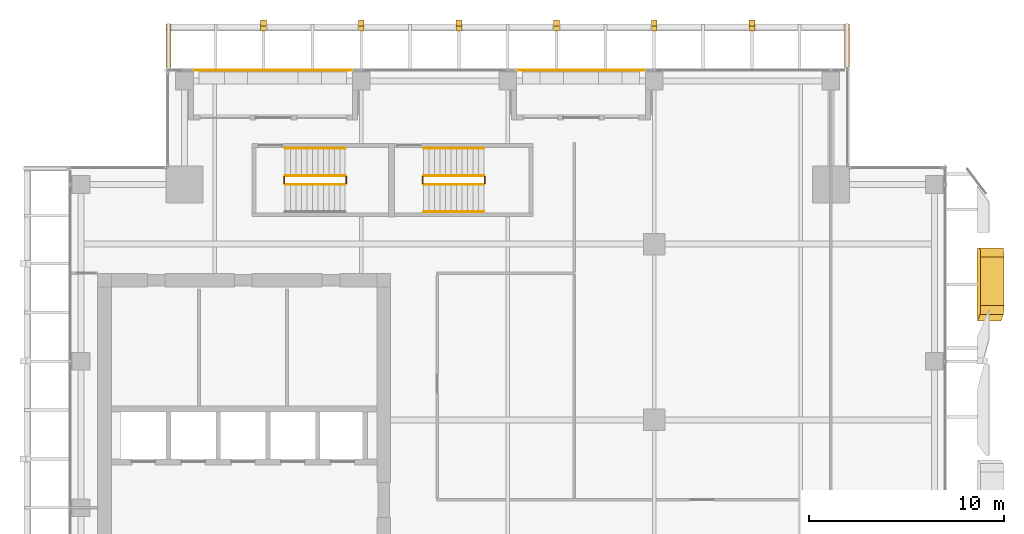
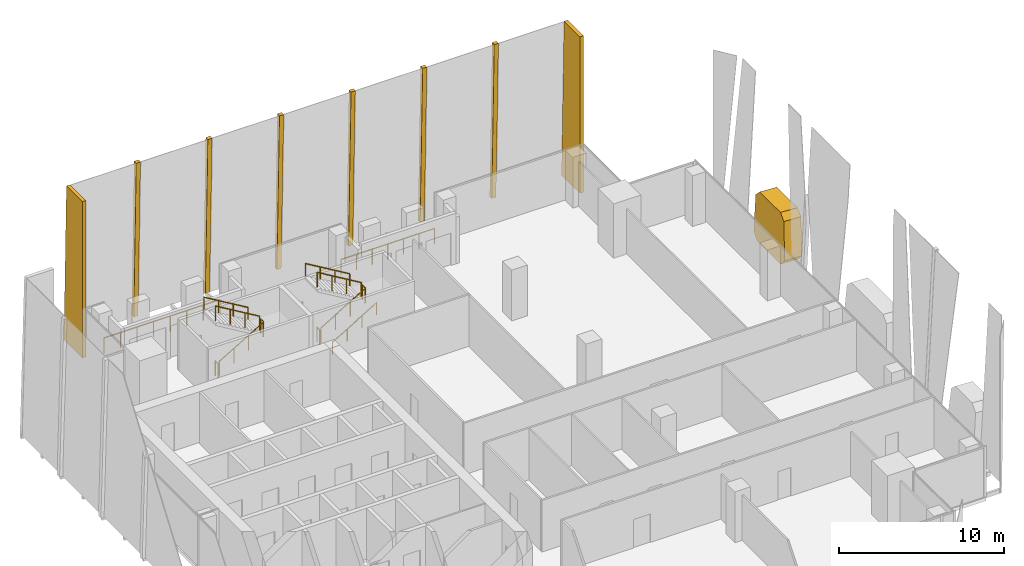
# One storey, part 32 of 33: 13 railings, 9 coverings.
"""IFC4 building model written with IfcOpenShell, lengths in metres."""

from ifc_helpers import new_model, si_unit, direction, frame, origin, origin_2d, place, context, subcontext, project, spatial, polyline, circle, outline, extrude, source, transform, mapped, material, layer, layer_set, type_object, element, save


model = new_model("IFC4")

# Units and contexts
model_context = context("Model", 3, precision=1e-05, world=origin(), true_north=direction((0.0, 1.0)))
body_context = subcontext(model_context, "Body", "Model", "MODEL_VIEW")
ifc_project = project(units=[si_unit("LENGTHUNIT", "METRE"), si_unit("AREAUNIT", "SQUARE_METRE"), si_unit("VOLUMEUNIT", "CUBIC_METRE"), si_unit("PLANEANGLEUNIT", "RADIAN"), si_unit("MASSUNIT", "GRAM", prefix="KILO")], contexts=[model_context])

# Site, building, storey
site_placement = place(None, origin())
site = spatial("IfcSite", under=ifc_project, at=site_placement, CompositionType="ELEMENT")
building_placement = place(site_placement, origin())
building = spatial("IfcBuilding", under=site, at=building_placement, Name="Khomas Fold Tower", CompositionType="ELEMENT")
storey_placement = place(building_placement, frame((0.0, 0.0, 234.199951171875)))
storey = spatial("IfcBuildingStorey", under=building, at=storey_placement, Name="L52", CompositionType="ELEMENT", Elevation=234.199951171875)

# Coverings
ifc_material_1 = material(Name="Natural stone cladding", Category="masonry")
ifc_layer_1 = layer(ifc_material_1, 0.25)
ifc_layer_set_1 = layer_set([ifc_layer_1], Name="Natural stone cladding")
covering_type_1 = type_object("IfcCoveringType", Name="SK-Karibib marble stone mullion", PredefinedType="CLADDING", material=ifc_layer_set_1)
for number, where, z_axis, x_axis, name in (
    (1, (14.35009765625, 51.97509765625, 0.006591796875), (0.0, 0.999657230839, 0.026180543005), (1.0, 0.0, 0.0), "OUTER SKIN mullion L52 N2"),
    (2, (19.35009765625, 51.97509765625, 0.006591796875), (0.0, 0.999657230839, 0.026180543005), (1.0, 0.0, 0.0), "OUTER SKIN mullion L52 N4"),
    (3, (24.35009765625, 51.97509765625, 0.006591796875), (0.0, 0.999657230839, 0.026180543005), (1.0, 0.0, 0.0), "OUTER SKIN mullion L52 N6"),
    (4, (29.35009765625, 51.97509765625, 0.006591796875), (0.0, 0.999657230839, 0.026180543005), (1.0, 0.0, 0.0), "OUTER SKIN mullion L52 N8"),
    (5, (34.35009765625, 51.97509765625, 0.006591796875), (0.0, 0.999657230839, 0.026180543005), (1.0, 0.0, 0.0), "OUTER SKIN mullion L52 N10"),
    (6, (39.35009765625, 51.97509765625, 0.006591796875), (0.0, 0.999657230839, 0.026180543005), (1.0, 0.0, 0.0), "OUTER SKIN mullion L52 N12"),
):
    element("IfcCovering", number, at=place(storey_placement, frame(where, z_axis=z_axis, x_axis=x_axis)), inside=storey, type_object=covering_type_1, Name=name, PredefinedType="CLADDING", context=body_context, shape_type="SweptSolid", body=[
        extrude(outline(polyline([(0.0, 0.0), (0.2998046875, 0.0), (0.2998046875, -11.554009186164079), (0.0, -11.554009186164079), (0.0, 0.0)])), origin(), (0.0, 0.0, -1.0), 0.25),
    ])
covering_1_placement = place(storey_placement, frame((9.5, 49.550048828125, 11.550048828125), z_axis=(-1.0, 0.0, 0.0), x_axis=(0.0, 1.0, 0.0)))
element("IfcCovering", 7, at=covering_1_placement, inside=storey, type_object=covering_type_1, Name="OUTER SKIN return L52 N1", PredefinedType="CLADDING", context=body_context, shape_type="SweptSolid", body=[
    extrude(outline(polyline([(0.0, 0.0), (1.91259765625, 0.0), (2.215087890625, 11.550048828125), (0.0, 11.550048828125), (0.0, 0.0)])), origin(), (0.0, 0.0, -1.0), 0.25),
])
covering_2_placement = place(storey_placement, frame((44.5, 49.550048828125, 0.0), z_axis=(1.0, 0.0, 0.0), x_axis=(0.0, 1.0, 0.0)))
element("IfcCovering", 8, at=covering_2_placement, inside=storey, type_object=covering_type_1, Name="OUTER SKIN return L52 N2", PredefinedType="CLADDING", context=body_context, shape_type="SweptSolid", body=[
    extrude(outline(polyline([(0.0, 0.0), (2.215087890625, 0.0), (1.91259765625, 11.550048828125), (0.0, 11.550048828125), (0.0, 0.0)])), origin(), (0.0, 0.0, -1.0), 0.25),
])
ifc_material_2 = material(Name="Natural stone cladding", Category="masonry")
ifc_layer_2 = layer(ifc_material_2, 1.199951171875)
ifc_layer_set_2 = layer_set([ifc_layer_2], Name="Natural stone cladding")
covering_type_2 = type_object("IfcCoveringType", Name="SK-Karibib marble stone panel", PredefinedType="CLADDING", material=ifc_layer_set_2)
covering_3_placement = place(storey_placement, frame((51.19140625, 40.300048828125, 3.10009765625), z_axis=(-0.998629488417, -1.469116e-06, 0.052336840393), x_axis=(-0.052336840393, 1.4e-11, -0.998629488418)))
element("IfcCovering", 9, at=covering_3_placement, inside=storey, type_object=covering_type_2, Name="OUTER SKIN leaf L52 ES09-3", PredefinedType="CLADDING", context=body_context, shape_type="SweptSolid", body=[
    extrude(outline(polyline([(0.0, 0.0), (2.653784853261542, 0.0), (3.1043587840834044, 0.4499511717336846), (3.1043587840436317, 3.2856445311056244), (2.5977999423370264, 3.73217773436962), (-0.055741104892422774, 3.4008789062637526), (-0.4505611533206871, 2.9543457029044626), (-0.45056115328556084, 0.44995117165716525), (0.0, 0.0)])), origin(), (0.0, 0.0, -1.0), 1.199951171875),
])

# Railings
ifc_material_3 = material(Name="Powder-coated steel", Category="steel")
railing_type_1 = type_object("IfcRailingType", Name="Balcony guard", PredefinedType="GUARDRAIL", material=ifc_material_3)
shared_shape_1 = source(origin(), body_context, "Body", "SweptSolid", [
    extrude(circle(Radius=0.02490234375, at=origin_2d()), frame((0.0, 0.0, 1.125), z_axis=(1.0, 0.0, 0.0), x_axis=(0.0, 1.0, 0.0)), (0.0, 0.0, 1.0), 8.090087890625),
    extrude(circle(Radius=0.02001953125, at=origin_2d()), origin(), (0.0, 0.0, 1.0), 1.099853515625),
    extrude(circle(Radius=0.02001953125, at=origin_2d()), frame((1.15576171875, 0.0, 0.0)), (0.0, 0.0, 1.0), 1.099853515625),
    extrude(circle(Radius=0.02001953125, at=origin_2d()), frame((2.3115234375, 0.0, 0.0)), (0.0, 0.0, 1.0), 1.099853515625),
    extrude(circle(Radius=0.02001953125, at=origin_2d()), frame((3.46728515625, 0.0, 0.0)), (0.0, 0.0, 1.0), 1.099853515625),
    extrude(circle(Radius=0.02001953125, at=origin_2d()), frame((4.622802734375, 0.0, 0.0)), (0.0, 0.0, 1.0), 1.099853515625),
    extrude(circle(Radius=0.02001953125, at=origin_2d()), frame((5.778564453125, 0.0, 0.0)), (0.0, 0.0, 1.0), 1.099853515625),
    extrude(circle(Radius=0.02001953125, at=origin_2d()), frame((6.934326171875, 0.0, 0.0)), (0.0, 0.0, 1.0), 1.099853515625),
    extrude(circle(Radius=0.02001953125, at=origin_2d()), frame((8.090087890625, 0.0, 0.0)), (0.0, 0.0, 1.0), 1.099853515625),
])
railing_1_placement = place(storey_placement, frame((10.929931640625, 49.39990234375, -0.044921875)))
element("IfcRailing", 10, at=railing_1_placement, inside=storey, type_object=railing_type_1, Name="Balcony guard BAL-L52-N1", PredefinedType="GUARDRAIL", context=body_context, shape_type="MappedRepresentation", body=[
    mapped(shared_shape_1, transform((0.0, 0.0, 0.0))),
])
shared_shape_2 = source(origin(), body_context, "Body", "SweptSolid", [
    extrude(circle(Radius=0.02490234375, at=origin_2d()), frame((0.0, 0.0, 1.125), z_axis=(1.0, 0.0, 0.0), x_axis=(0.0, 1.0, 0.0)), (0.0, 0.0, 1.0), 6.5400390625),
    extrude(circle(Radius=0.02001953125, at=origin_2d()), origin(), (0.0, 0.0, 1.0), 1.099853515625),
    extrude(circle(Radius=0.02001953125, at=origin_2d()), frame((1.090087890625, 0.0, 0.0)), (0.0, 0.0, 1.0), 1.099853515625),
    extrude(circle(Radius=0.02001953125, at=origin_2d()), frame((2.179931640625, 0.0, 0.0)), (0.0, 0.0, 1.0), 1.099853515625),
    extrude(circle(Radius=0.02001953125, at=origin_2d()), frame((3.27001953125, 0.0, 0.0)), (0.0, 0.0, 1.0), 1.099853515625),
    extrude(circle(Radius=0.02001953125, at=origin_2d()), frame((4.360107421875, 0.0, 0.0)), (0.0, 0.0, 1.0), 1.099853515625),
    extrude(circle(Radius=0.02001953125, at=origin_2d()), frame((5.449951171875, 0.0, 0.0)), (0.0, 0.0, 1.0), 1.099853515625),
    extrude(circle(Radius=0.02001953125, at=origin_2d()), frame((6.5400390625, 0.0, 0.0)), (0.0, 0.0, 1.0), 1.099853515625),
])
railing_2_placement = place(storey_placement, frame((27.47998046875, 49.39990234375, -0.044921875)))
element("IfcRailing", 11, at=railing_2_placement, inside=storey, type_object=railing_type_1, Name="Balcony guard BAL-L52-N3", PredefinedType="GUARDRAIL", context=body_context, shape_type="MappedRepresentation", body=[
    mapped(shared_shape_2, transform((0.0, 0.0, 0.0))),
])
ifc_material_4 = material(Name="Steel balustrade", Category="steel")
railing_type_2 = type_object("IfcRailingType", Name="Stair guard", PredefinedType="GUARDRAIL", material=ifc_material_4)
shared_shape_3 = source(origin(), body_context, "Body", "SweptSolid", [
    extrude(circle(Radius=0.02392578125, at=origin_2d()), frame((0.0, 0.0, 1.076171875), z_axis=(0.0, 1.0, 0.0), x_axis=(-1.0, 0.0, 0.0)), (0.0, 0.0, 1.0), 0.349853515625),
    extrude(circle(Radius=0.02099609375, at=origin_2d()), origin(), (0.0, 0.0, 1.0), 1.052001953125),
    extrude(circle(Radius=0.02099609375, at=origin_2d()), frame((0.0, 0.349853515625, 0.0)), (0.0, 0.0, 1.0), 1.052001953125),
])
for number, where, name in (
    (12, (18.72998046875, 43.60009765625, 2.0), "L52 ST1 stair guard 2"),
    (13, (15.550048828125, 43.60009765625, 0.0), "L52 ST1 stair guard 4"),
    (14, (25.830078125, 43.60009765625, 2.0), "L52 ST3 stair guard 2"),
    (15, (22.64990234375, 43.60009765625, 0.0), "L52 ST3 stair guard 4"),
):
    element("IfcRailing", number, at=place(storey_placement, frame(where)), inside=storey, type_object=railing_type_2, Name=name, PredefinedType="GUARDRAIL", context=body_context, shape_type="MappedRepresentation", body=[
        mapped(shared_shape_3, transform((0.0, 0.0, 0.0))),
    ])
shared_shape_4 = source(origin(), body_context, "Body", "SweptSolid", [
    extrude(circle(Radius=0.02392578125, at=origin_2d()), frame((0.0, 0.0, 1.076171875), z_axis=(0.859290745958, 0.0, 0.51148745235), x_axis=(0.0, 1.0, 0.0)), (0.0, 0.0, 1.0), 3.584228515625),
    extrude(circle(Radius=0.02099609375, at=origin_2d()), origin(), (0.0, 0.0, 1.0), 1.052001953125),
    extrude(circle(Radius=0.02099609375, at=origin_2d()), frame((1.026611328125, 0.0, 0.611083984375)), (0.0, 0.0, 1.0), 1.052001953125),
    extrude(circle(Radius=0.02099609375, at=origin_2d()), frame((2.05322265625, 0.0, 1.22216796875)), (0.0, 0.0, 1.0), 1.052001953125),
    extrude(circle(Radius=0.02099609375, at=origin_2d()), frame((3.079833984375, 0.0, 1.833251953125)), (0.0, 0.0, 1.0), 1.052001953125),
])
railing_3_placement = place(storey_placement, frame((15.60009765625, 43.550048828125, 0.166748046875)))
element("IfcRailing", 16, at=railing_3_placement, inside=storey, type_object=railing_type_2, Name="L52 ST1 stair guard 1", PredefinedType="GUARDRAIL", context=body_context, shape_type="MappedRepresentation", body=[
    mapped(shared_shape_4, transform((0.0, 0.0, 0.0))),
])
shared_shape_5 = source(origin(), body_context, "Body", "SweptSolid", [
    extrude(circle(Radius=0.02392578125, at=origin_2d()), frame((0.0, 0.0, 1.076171875), z_axis=(-0.859290745958, 0.0, 0.51148745235), x_axis=(0.0, -1.0, 0.0)), (0.0, 0.0, 1.0), 3.584228515625),
    extrude(circle(Radius=0.02099609375, at=origin_2d()), origin(), (0.0, 0.0, 1.0), 1.052001953125),
    extrude(circle(Radius=0.02099609375, at=origin_2d()), frame((-1.026611328125, 0.0, 0.611083984375)), (0.0, 0.0, 1.0), 1.052001953125),
    extrude(circle(Radius=0.02099609375, at=origin_2d()), frame((-2.05322265625, 0.0, 1.22216796875)), (0.0, 0.0, 1.0), 1.052001953125),
    extrude(circle(Radius=0.02099609375, at=origin_2d()), frame((-3.079833984375, 0.0, 1.833251953125)), (0.0, 0.0, 1.0), 1.052001953125),
])
railing_4_placement = place(storey_placement, frame((18.679931640625, 44.0, 2.166748046875)))
element("IfcRailing", 17, at=railing_4_placement, inside=storey, type_object=railing_type_2, Name="L52 ST1 stair guard 3", PredefinedType="GUARDRAIL", context=body_context, shape_type="MappedRepresentation", body=[
    mapped(shared_shape_5, transform((0.0, 0.0, 0.0))),
])
ifc_material_5 = material(Name="Steel handrail", Category="steel")
railing_type_3 = type_object("IfcRailingType", Name="Stair handrail", PredefinedType="HANDRAIL", material=ifc_material_5)
shared_shape_6 = source(origin(), body_context, "Body", "SweptSolid", [
    extrude(circle(Radius=0.02392578125, at=origin_2d()), frame((0.0, 0.0, 0.8759765625), z_axis=(-0.859290745958, 0.0, 0.51148745235), x_axis=(0.0, -1.0, 0.0)), (0.0, 0.0, 1.0), 3.584228515625),
    extrude(circle(Radius=0.02099609375, at=origin_2d()), origin(), (0.0, 0.0, 1.0), 0.851806640625),
    extrude(circle(Radius=0.02099609375, at=origin_2d()), frame((-1.026611328125, 0.0, 0.611083984375)), (0.0, 0.0, 1.0), 0.851806640625),
    extrude(circle(Radius=0.02099609375, at=origin_2d()), frame((-2.05322265625, 0.0, 1.22216796875)), (0.0, 0.0, 1.0), 0.851806640625),
    extrude(circle(Radius=0.02099609375, at=origin_2d()), frame((-3.079833984375, 0.0, 1.833251953125)), (0.0, 0.0, 1.0), 0.851806640625),
])
railing_5_placement = place(storey_placement, frame((18.679931640625, 45.39990234375, 2.166748046875)))
element("IfcRailing", 18, at=railing_5_placement, inside=storey, type_object=railing_type_3, Name="L52 ST1 stair handrail 2", PredefinedType="HANDRAIL", context=body_context, shape_type="MappedRepresentation", body=[
    mapped(shared_shape_6, transform((0.0, 0.0, 0.0))),
])
shared_shape_7 = source(origin(), body_context, "Body", "SweptSolid", [
    extrude(circle(Radius=0.02392578125, at=origin_2d()), frame((0.0, 0.0, 1.076171875), z_axis=(0.859308565015, 0.0, 0.511457515432), x_axis=(0.0, 1.0, 0.0)), (0.0, 0.0, 1.0), 3.58447265625),
    extrude(circle(Radius=0.02099609375, at=origin_2d()), origin(), (0.0, 0.0, 1.0), 1.052001953125),
    extrude(circle(Radius=0.02099609375, at=origin_2d()), frame((1.026611328125, 0.0, 0.611083984375)), (0.0, 0.0, 1.0), 1.052001953125),
    extrude(circle(Radius=0.02099609375, at=origin_2d()), frame((2.053466796875, 0.0, 1.22216796875)), (0.0, 0.0, 1.0), 1.052001953125),
    extrude(circle(Radius=0.02099609375, at=origin_2d()), frame((3.080078125, 0.0, 1.833251953125)), (0.0, 0.0, 1.0), 1.052001953125),
])
railing_6_placement = place(storey_placement, frame((22.699951171875, 43.550048828125, 0.166748046875)))
element("IfcRailing", 19, at=railing_6_placement, inside=storey, type_object=railing_type_2, Name="L52 ST3 stair guard 1", PredefinedType="GUARDRAIL", context=body_context, shape_type="MappedRepresentation", body=[
    mapped(shared_shape_7, transform((0.0, 0.0, 0.0))),
])
shared_shape_8 = source(origin(), body_context, "Body", "SweptSolid", [
    extrude(circle(Radius=0.02392578125, at=origin_2d()), frame((0.0, 0.0, 1.076171875), z_axis=(-0.859308565015, 0.0, 0.511457515432), x_axis=(0.0, -1.0, 0.0)), (0.0, 0.0, 1.0), 3.58447265625),
    extrude(circle(Radius=0.02099609375, at=origin_2d()), origin(), (0.0, 0.0, 1.0), 1.052001953125),
    extrude(circle(Radius=0.02099609375, at=origin_2d()), frame((-1.026611328125, 0.0, 0.611083984375)), (0.0, 0.0, 1.0), 1.052001953125),
    extrude(circle(Radius=0.02099609375, at=origin_2d()), frame((-2.053466796875, 0.0, 1.22216796875)), (0.0, 0.0, 1.0), 1.052001953125),
    extrude(circle(Radius=0.02099609375, at=origin_2d()), frame((-3.080078125, 0.0, 1.833251953125)), (0.0, 0.0, 1.0), 1.052001953125),
])
railing_7_placement = place(storey_placement, frame((25.780029296875, 44.0, 2.166748046875)))
element("IfcRailing", 20, at=railing_7_placement, inside=storey, type_object=railing_type_2, Name="L52 ST3 stair guard 3", PredefinedType="GUARDRAIL", context=body_context, shape_type="MappedRepresentation", body=[
    mapped(shared_shape_8, transform((0.0, 0.0, 0.0))),
])
shared_shape_9 = source(origin(), body_context, "Body", "SweptSolid", [
    extrude(circle(Radius=0.02392578125, at=origin_2d()), frame((0.0, 0.0, 0.8759765625), z_axis=(0.859308565015, 0.0, 0.511457515432), x_axis=(0.0, 1.0, 0.0)), (0.0, 0.0, 1.0), 3.58447265625),
    extrude(circle(Radius=0.02099609375, at=origin_2d()), origin(), (0.0, 0.0, 1.0), 0.851806640625),
    extrude(circle(Radius=0.02099609375, at=origin_2d()), frame((1.026611328125, 0.0, 0.611083984375)), (0.0, 0.0, 1.0), 0.851806640625),
    extrude(circle(Radius=0.02099609375, at=origin_2d()), frame((2.053466796875, 0.0, 1.22216796875)), (0.0, 0.0, 1.0), 0.851806640625),
    extrude(circle(Radius=0.02099609375, at=origin_2d()), frame((3.080078125, 0.0, 1.833251953125)), (0.0, 0.0, 1.0), 0.851806640625),
])
railing_8_placement = place(storey_placement, frame((22.699951171875, 42.14990234375, 0.166748046875)))
element("IfcRailing", 21, at=railing_8_placement, inside=storey, type_object=railing_type_3, Name="L52 ST3 stair handrail 1", PredefinedType="HANDRAIL", context=body_context, shape_type="MappedRepresentation", body=[
    mapped(shared_shape_9, transform((0.0, 0.0, 0.0))),
])
shared_shape_10 = source(origin(), body_context, "Body", "SweptSolid", [
    extrude(circle(Radius=0.02392578125, at=origin_2d()), frame((0.0, 0.0, 0.8759765625), z_axis=(-0.859308565015, 0.0, 0.511457515432), x_axis=(0.0, -1.0, 0.0)), (0.0, 0.0, 1.0), 3.58447265625),
    extrude(circle(Radius=0.02099609375, at=origin_2d()), origin(), (0.0, 0.0, 1.0), 0.851806640625),
    extrude(circle(Radius=0.02099609375, at=origin_2d()), frame((-1.026611328125, 0.0, 0.611083984375)), (0.0, 0.0, 1.0), 0.851806640625),
    extrude(circle(Radius=0.02099609375, at=origin_2d()), frame((-2.053466796875, 0.0, 1.22216796875)), (0.0, 0.0, 1.0), 0.851806640625),
    extrude(circle(Radius=0.02099609375, at=origin_2d()), frame((-3.080078125, 0.0, 1.833251953125)), (0.0, 0.0, 1.0), 0.851806640625),
])
railing_9_placement = place(storey_placement, frame((25.780029296875, 45.39990234375, 2.166748046875)))
element("IfcRailing", 22, at=railing_9_placement, inside=storey, type_object=railing_type_3, Name="L52 ST3 stair handrail 2", PredefinedType="HANDRAIL", context=body_context, shape_type="MappedRepresentation", body=[
    mapped(shared_shape_10, transform((0.0, 0.0, 0.0))),
])

save(model, "model.ifc")
